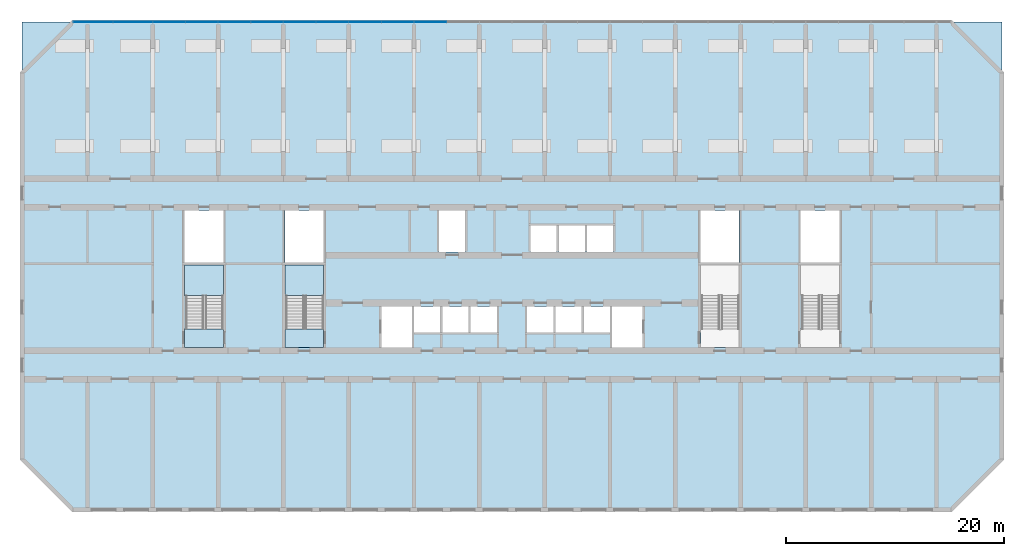
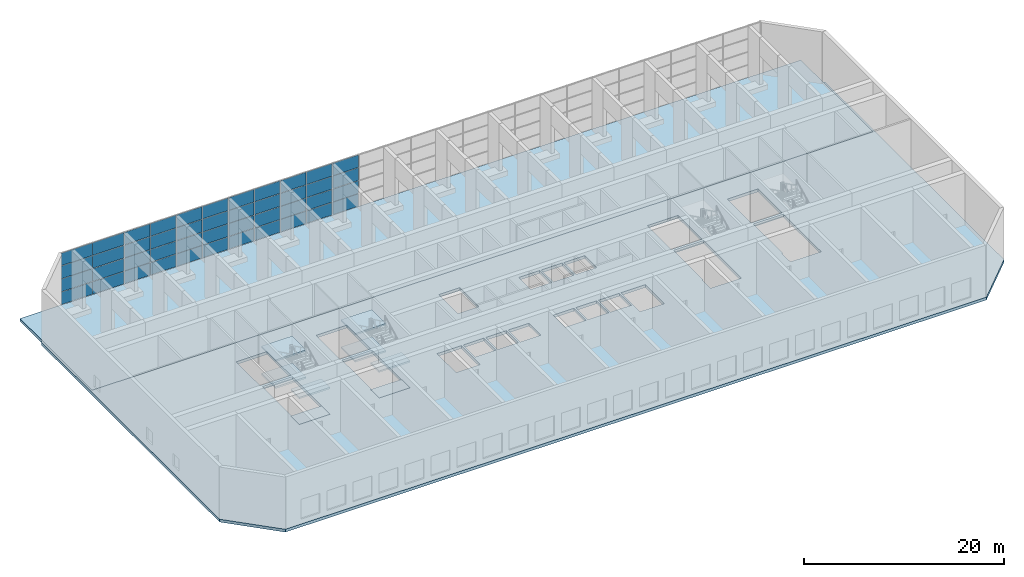
# One storey, part 4 of 15: 44 plates, 10 slabs, 6 elements without a shape of their own.
"""IFC4 building model written with IfcOpenShell, lengths in metres."""

from ifc_helpers import new_model, si_unit, direction, frame, origin, origin_2d, place, context, subcontext, project, spatial, polyline, rectangle, outline, extrude, source, transform, mapped, material, layer, layer_set, type_object, element, aggregate, save


model = new_model("IFC4")

# Units and contexts
model_context = context("Model", 3, precision=1e-05, world=origin(), true_north=direction((0.0, 1.0)))
body_context = subcontext(model_context, "Body", "Model", "MODEL_VIEW")
ifc_project = project(units=[si_unit("LENGTHUNIT", "METRE"), si_unit("AREAUNIT", "SQUARE_METRE"), si_unit("VOLUMEUNIT", "CUBIC_METRE"), si_unit("PLANEANGLEUNIT", "RADIAN"), si_unit("MASSUNIT", "GRAM", prefix="KILO")], contexts=[model_context])

# Site, building, storey
site_placement = place(None, origin())
site = spatial("IfcSite", under=ifc_project, at=site_placement, CompositionType="ELEMENT")
building_placement = place(site_placement, origin())
building = spatial("IfcBuilding", under=site, at=building_placement, Name="Poui Terraces", CompositionType="ELEMENT")
storey_placement = place(building_placement, frame((0.0, 0.0, 66.300048828125)))
storey = spatial("IfcBuildingStorey", under=building, at=storey_placement, Name="L18", CompositionType="ELEMENT", Elevation=66.300048828125)

# Curtain wall, plates
ifc_material_1 = material(Name="Clear glass", Category="glass")
ifc_layer_1 = layer(ifc_material_1, 0.159912109375)
ifc_layer_set_1 = layer_set([ifc_layer_1], Name="Clear glass")
curtain_wall_type = type_object("IfcCurtainWallType", Name="CURTAIN WALL CW-D SKY GARDEN GLAZING", PredefinedType="NOTDEFINED", material=ifc_layer_set_1)
curtain_wall_1_placement = place(storey_placement, origin())
curtain_wall_1 = element("IfcCurtainWall", 1, at=curtain_wall_1_placement, inside=storey, type_object=curtain_wall_type, Name="CW-D SKY GARDEN GLAZING", PredefinedType="NOTDEFINED")
ifc_layer_2 = layer(ifc_material_1, 0.052001953125)
ifc_layer_set_2 = layer_set([ifc_layer_2], Name="Clear glass")
plate_type = type_object("IfcPlateType", Name="CW-D GLASS PANEL 52", PredefinedType="CURTAIN_PANEL", material=ifc_layer_set_2)
plate_1_placement = place(storey_placement, frame((16.158203125, 44.800048828125, 0.0498046875), z_axis=(0.0, 0.0, 1.0), x_axis=(-1.0, 0.0, 0.0)))
plate_1 = element("IfcPlate", 2, at=plate_1_placement, type_object=plate_type, Name="CW-D panel 1.1", PredefinedType="CURTAIN_PANEL", context=body_context, shape_type="SweptSolid", body=[
    extrude(rectangle(XDim=3.58349609375, YDim=0.052001953125, at=origin_2d()), origin(), (0.0, 0.0, 1.0), 1.514892578125),
])
plate_2_placement = place(storey_placement, frame((16.158203125, 44.800048828125, 1.614990234375), z_axis=(0.0, 0.0, 1.0), x_axis=(-1.0, 0.0, 0.0)))
plate_2 = element("IfcPlate", 3, at=plate_2_placement, type_object=plate_type, Name="CW-D panel 1.2", PredefinedType="CURTAIN_PANEL", context=body_context, shape_type="SweptSolid", body=[
    extrude(rectangle(XDim=3.58349609375, YDim=0.052001953125, at=origin_2d()), origin(), (0.0, 0.0, 1.0), 1.5400390625),
])
plate_3_placement = place(storey_placement, frame((16.158203125, 44.800048828125, 3.204833984375), z_axis=(0.0, 0.0, 1.0), x_axis=(-1.0, 0.0, 0.0)))
plate_3 = element("IfcPlate", 4, at=plate_3_placement, type_object=plate_type, Name="CW-D panel 1.3", PredefinedType="CURTAIN_PANEL", context=body_context, shape_type="SweptSolid", body=[
    extrude(rectangle(XDim=3.58349609375, YDim=0.052001953125, at=origin_2d()), origin(), (0.0, 0.0, 1.0), 1.5400390625),
])
plate_4_placement = place(storey_placement, frame((16.158203125, 44.800048828125, 4.794921875), z_axis=(0.0, 0.0, 1.0), x_axis=(-1.0, 0.0, 0.0)))
plate_4 = element("IfcPlate", 5, at=plate_4_placement, type_object=plate_type, Name="CW-D panel 1.4", PredefinedType="CURTAIN_PANEL", context=body_context, shape_type="SweptSolid", body=[
    extrude(rectangle(XDim=3.58349609375, YDim=0.052001953125, at=origin_2d()), origin(), (0.0, 0.0, 1.0), 1.514892578125),
])
plate_5_placement = place(storey_placement, frame((12.524658203125, 44.800048828125, 0.0498046875), z_axis=(0.0, 0.0, 1.0), x_axis=(-1.0, 0.0, 0.0)))
plate_5 = element("IfcPlate", 6, at=plate_5_placement, type_object=plate_type, Name="CW-D panel 2.1", PredefinedType="CURTAIN_PANEL", context=body_context, shape_type="SweptSolid", body=[
    extrude(rectangle(XDim=3.58349609375, YDim=0.052001953125, at=origin_2d()), origin(), (0.0, 0.0, 1.0), 1.514892578125),
])
plate_6_placement = place(storey_placement, frame((12.524658203125, 44.800048828125, 1.614990234375), z_axis=(0.0, 0.0, 1.0), x_axis=(-1.0, 0.0, 0.0)))
plate_6 = element("IfcPlate", 7, at=plate_6_placement, type_object=plate_type, Name="CW-D panel 2.2", PredefinedType="CURTAIN_PANEL", context=body_context, shape_type="SweptSolid", body=[
    extrude(rectangle(XDim=3.58349609375, YDim=0.052001953125, at=origin_2d()), origin(), (0.0, 0.0, 1.0), 1.5400390625),
])
plate_7_placement = place(storey_placement, frame((12.524658203125, 44.800048828125, 3.204833984375), z_axis=(0.0, 0.0, 1.0), x_axis=(-1.0, 0.0, 0.0)))
plate_7 = element("IfcPlate", 8, at=plate_7_placement, type_object=plate_type, Name="CW-D panel 2.3", PredefinedType="CURTAIN_PANEL", context=body_context, shape_type="SweptSolid", body=[
    extrude(rectangle(XDim=3.58349609375, YDim=0.052001953125, at=origin_2d()), origin(), (0.0, 0.0, 1.0), 1.5400390625),
])
plate_8_placement = place(storey_placement, frame((12.524658203125, 44.800048828125, 4.794921875), z_axis=(0.0, 0.0, 1.0), x_axis=(-1.0, 0.0, 0.0)))
plate_8 = element("IfcPlate", 9, at=plate_8_placement, type_object=plate_type, Name="CW-D panel 2.4", PredefinedType="CURTAIN_PANEL", context=body_context, shape_type="SweptSolid", body=[
    extrude(rectangle(XDim=3.58349609375, YDim=0.052001953125, at=origin_2d()), origin(), (0.0, 0.0, 1.0), 1.514892578125),
])
aggregate(curtain_wall_1, [plate_1, plate_2, plate_3, plate_4, plate_5, plate_6, plate_7, plate_8])

curtain_wall_2_placement = place(storey_placement, origin())
curtain_wall_2 = element("IfcCurtainWall", 10, at=curtain_wall_2_placement, inside=storey, type_object=curtain_wall_type, Name="CW-D SKY GARDEN GLAZING", PredefinedType="NOTDEFINED")
plate_9_placement = place(storey_placement, frame((28.487548828125, 44.800048828125, 0.0498046875), z_axis=(0.0, 0.0, 1.0), x_axis=(-1.0, 0.0, 0.0)))
plate_9 = element("IfcPlate", 11, at=plate_9_placement, type_object=plate_type, Name="CW-D panel 1.1", PredefinedType="CURTAIN_PANEL", context=body_context, shape_type="SweptSolid", body=[
    extrude(rectangle(XDim=2.925048828125, YDim=0.052001953125, at=origin_2d()), origin(), (0.0, 0.0, 1.0), 1.514892578125),
])
plate_10_placement = place(storey_placement, frame((28.487548828125, 44.800048828125, 1.614990234375), z_axis=(0.0, 0.0, 1.0), x_axis=(-1.0, 0.0, 0.0)))
plate_10 = element("IfcPlate", 12, at=plate_10_placement, type_object=plate_type, Name="CW-D panel 1.2", PredefinedType="CURTAIN_PANEL", context=body_context, shape_type="SweptSolid", body=[
    extrude(rectangle(XDim=2.925048828125, YDim=0.052001953125, at=origin_2d()), origin(), (0.0, 0.0, 1.0), 1.5400390625),
])
plate_11_placement = place(storey_placement, frame((28.487548828125, 44.800048828125, 3.204833984375), z_axis=(0.0, 0.0, 1.0), x_axis=(-1.0, 0.0, 0.0)))
plate_11 = element("IfcPlate", 13, at=plate_11_placement, type_object=plate_type, Name="CW-D panel 1.3", PredefinedType="CURTAIN_PANEL", context=body_context, shape_type="SweptSolid", body=[
    extrude(rectangle(XDim=2.925048828125, YDim=0.052001953125, at=origin_2d()), origin(), (0.0, 0.0, 1.0), 1.5400390625),
])
plate_12_placement = place(storey_placement, frame((28.487548828125, 44.800048828125, 4.794921875), z_axis=(0.0, 0.0, 1.0), x_axis=(-1.0, 0.0, 0.0)))
plate_12 = element("IfcPlate", 14, at=plate_12_placement, type_object=plate_type, Name="CW-D panel 1.4", PredefinedType="CURTAIN_PANEL", context=body_context, shape_type="SweptSolid", body=[
    extrude(rectangle(XDim=2.925048828125, YDim=0.052001953125, at=origin_2d()), origin(), (0.0, 0.0, 1.0), 1.514892578125),
])
plate_13_placement = place(storey_placement, frame((25.5, 44.800048828125, 0.0498046875), z_axis=(0.0, 0.0, 1.0), x_axis=(-1.0, 0.0, 0.0)))
plate_13 = element("IfcPlate", 15, at=plate_13_placement, type_object=plate_type, Name="CW-D panel 2.1", PredefinedType="CURTAIN_PANEL", context=body_context, shape_type="SweptSolid", body=[
    extrude(rectangle(XDim=2.949951171875, YDim=0.052001953125, at=origin_2d()), origin(), (0.0, 0.0, 1.0), 1.514892578125),
])
plate_14_placement = place(storey_placement, frame((25.5, 44.800048828125, 1.614990234375), z_axis=(0.0, 0.0, 1.0), x_axis=(-1.0, 0.0, 0.0)))
plate_14 = element("IfcPlate", 16, at=plate_14_placement, type_object=plate_type, Name="CW-D panel 2.2", PredefinedType="CURTAIN_PANEL", context=body_context, shape_type="SweptSolid", body=[
    extrude(rectangle(XDim=2.949951171875, YDim=0.052001953125, at=origin_2d()), origin(), (0.0, 0.0, 1.0), 1.5400390625),
])
plate_15_placement = place(storey_placement, frame((25.5, 44.800048828125, 3.204833984375), z_axis=(0.0, 0.0, 1.0), x_axis=(-1.0, 0.0, 0.0)))
plate_15 = element("IfcPlate", 17, at=plate_15_placement, type_object=plate_type, Name="CW-D panel 2.3", PredefinedType="CURTAIN_PANEL", context=body_context, shape_type="SweptSolid", body=[
    extrude(rectangle(XDim=2.949951171875, YDim=0.052001953125, at=origin_2d()), origin(), (0.0, 0.0, 1.0), 1.5400390625),
])
plate_16_placement = place(storey_placement, frame((25.5, 44.800048828125, 4.794921875), z_axis=(0.0, 0.0, 1.0), x_axis=(-1.0, 0.0, 0.0)))
plate_16 = element("IfcPlate", 18, at=plate_16_placement, type_object=plate_type, Name="CW-D panel 2.4", PredefinedType="CURTAIN_PANEL", context=body_context, shape_type="SweptSolid", body=[
    extrude(rectangle(XDim=2.949951171875, YDim=0.052001953125, at=origin_2d()), origin(), (0.0, 0.0, 1.0), 1.514892578125),
])
plate_17_placement = place(storey_placement, frame((22.5, 44.800048828125, 0.0498046875), z_axis=(0.0, 0.0, 1.0), x_axis=(-1.0, 0.0, 0.0)))
plate_17 = element("IfcPlate", 19, at=plate_17_placement, type_object=plate_type, Name="CW-D panel 3.1", PredefinedType="CURTAIN_PANEL", context=body_context, shape_type="SweptSolid", body=[
    extrude(rectangle(XDim=2.949951171875, YDim=0.052001953125, at=origin_2d()), origin(), (0.0, 0.0, 1.0), 1.514892578125),
])
plate_18_placement = place(storey_placement, frame((22.5, 44.800048828125, 1.614990234375), z_axis=(0.0, 0.0, 1.0), x_axis=(-1.0, 0.0, 0.0)))
plate_18 = element("IfcPlate", 20, at=plate_18_placement, type_object=plate_type, Name="CW-D panel 3.2", PredefinedType="CURTAIN_PANEL", context=body_context, shape_type="SweptSolid", body=[
    extrude(rectangle(XDim=2.949951171875, YDim=0.052001953125, at=origin_2d()), origin(), (0.0, 0.0, 1.0), 1.5400390625),
])
plate_19_placement = place(storey_placement, frame((22.5, 44.800048828125, 3.204833984375), z_axis=(0.0, 0.0, 1.0), x_axis=(-1.0, 0.0, 0.0)))
plate_19 = element("IfcPlate", 21, at=plate_19_placement, type_object=plate_type, Name="CW-D panel 3.3", PredefinedType="CURTAIN_PANEL", context=body_context, shape_type="SweptSolid", body=[
    extrude(rectangle(XDim=2.949951171875, YDim=0.052001953125, at=origin_2d()), origin(), (0.0, 0.0, 1.0), 1.5400390625),
])
plate_20_placement = place(storey_placement, frame((22.5, 44.800048828125, 4.794921875), z_axis=(0.0, 0.0, 1.0), x_axis=(-1.0, 0.0, 0.0)))
plate_20 = element("IfcPlate", 22, at=plate_20_placement, type_object=plate_type, Name="CW-D panel 3.4", PredefinedType="CURTAIN_PANEL", context=body_context, shape_type="SweptSolid", body=[
    extrude(rectangle(XDim=2.949951171875, YDim=0.052001953125, at=origin_2d()), origin(), (0.0, 0.0, 1.0), 1.514892578125),
])
plate_21_placement = place(storey_placement, frame((19.512451171875, 44.800048828125, 0.0498046875), z_axis=(0.0, 0.0, 1.0), x_axis=(-1.0, 0.0, 0.0)))
plate_21 = element("IfcPlate", 23, at=plate_21_placement, type_object=plate_type, Name="CW-D panel 4.1", PredefinedType="CURTAIN_PANEL", context=body_context, shape_type="SweptSolid", body=[
    extrude(rectangle(XDim=2.925048828125, YDim=0.052001953125, at=origin_2d()), origin(), (0.0, 0.0, 1.0), 1.514892578125),
])
plate_22_placement = place(storey_placement, frame((19.512451171875, 44.800048828125, 1.614990234375), z_axis=(0.0, 0.0, 1.0), x_axis=(-1.0, 0.0, 0.0)))
plate_22 = element("IfcPlate", 24, at=plate_22_placement, type_object=plate_type, Name="CW-D panel 4.2", PredefinedType="CURTAIN_PANEL", context=body_context, shape_type="SweptSolid", body=[
    extrude(rectangle(XDim=2.925048828125, YDim=0.052001953125, at=origin_2d()), origin(), (0.0, 0.0, 1.0), 1.5400390625),
])
plate_23_placement = place(storey_placement, frame((19.512451171875, 44.800048828125, 3.204833984375), z_axis=(0.0, 0.0, 1.0), x_axis=(-1.0, 0.0, 0.0)))
plate_23 = element("IfcPlate", 25, at=plate_23_placement, type_object=plate_type, Name="CW-D panel 4.3", PredefinedType="CURTAIN_PANEL", context=body_context, shape_type="SweptSolid", body=[
    extrude(rectangle(XDim=2.925048828125, YDim=0.052001953125, at=origin_2d()), origin(), (0.0, 0.0, 1.0), 1.5400390625),
])
plate_24_placement = place(storey_placement, frame((19.512451171875, 44.800048828125, 4.794921875), z_axis=(0.0, 0.0, 1.0), x_axis=(-1.0, 0.0, 0.0)))
plate_24 = element("IfcPlate", 26, at=plate_24_placement, type_object=plate_type, Name="CW-D panel 4.4", PredefinedType="CURTAIN_PANEL", context=body_context, shape_type="SweptSolid", body=[
    extrude(rectangle(XDim=2.925048828125, YDim=0.052001953125, at=origin_2d()), origin(), (0.0, 0.0, 1.0), 1.514892578125),
])
aggregate(curtain_wall_2, [plate_9, plate_10, plate_11, plate_12, plate_13, plate_14, plate_15, plate_16, plate_17, plate_18, plate_19, plate_20, plate_21, plate_22, plate_23, plate_24])

curtain_wall_3_placement = place(storey_placement, origin())
curtain_wall_3 = element("IfcCurtainWall", 27, at=curtain_wall_3_placement, inside=storey, type_object=curtain_wall_type, Name="CW-D SKY GARDEN GLAZING", PredefinedType="NOTDEFINED")
plate_25_placement = place(storey_placement, frame((40.487548828125, 44.800048828125, 0.0498046875), z_axis=(0.0, 0.0, 1.0), x_axis=(-1.0, 0.0, 0.0)))
plate_25 = element("IfcPlate", 28, at=plate_25_placement, type_object=plate_type, Name="CW-D panel 1.1", PredefinedType="CURTAIN_PANEL", context=body_context, shape_type="SweptSolid", body=[
    extrude(rectangle(XDim=2.925048828125, YDim=0.052001953125, at=origin_2d()), origin(), (0.0, 0.0, 1.0), 1.514892578125),
])
plate_26_placement = place(storey_placement, frame((40.487548828125, 44.800048828125, 1.614990234375), z_axis=(0.0, 0.0, 1.0), x_axis=(-1.0, 0.0, 0.0)))
plate_26 = element("IfcPlate", 29, at=plate_26_placement, type_object=plate_type, Name="CW-D panel 1.2", PredefinedType="CURTAIN_PANEL", context=body_context, shape_type="SweptSolid", body=[
    extrude(rectangle(XDim=2.925048828125, YDim=0.052001953125, at=origin_2d()), origin(), (0.0, 0.0, 1.0), 1.5400390625),
])
plate_27_placement = place(storey_placement, frame((40.487548828125, 44.800048828125, 3.204833984375), z_axis=(0.0, 0.0, 1.0), x_axis=(-1.0, 0.0, 0.0)))
plate_27 = element("IfcPlate", 30, at=plate_27_placement, type_object=plate_type, Name="CW-D panel 1.3", PredefinedType="CURTAIN_PANEL", context=body_context, shape_type="SweptSolid", body=[
    extrude(rectangle(XDim=2.925048828125, YDim=0.052001953125, at=origin_2d()), origin(), (0.0, 0.0, 1.0), 1.5400390625),
])
plate_28_placement = place(storey_placement, frame((40.487548828125, 44.800048828125, 4.794921875), z_axis=(0.0, 0.0, 1.0), x_axis=(-1.0, 0.0, 0.0)))
plate_28 = element("IfcPlate", 31, at=plate_28_placement, type_object=plate_type, Name="CW-D panel 1.4", PredefinedType="CURTAIN_PANEL", context=body_context, shape_type="SweptSolid", body=[
    extrude(rectangle(XDim=2.925048828125, YDim=0.052001953125, at=origin_2d()), origin(), (0.0, 0.0, 1.0), 1.514892578125),
])
plate_29_placement = place(storey_placement, frame((37.5, 44.800048828125, 0.0498046875), z_axis=(0.0, 0.0, 1.0), x_axis=(-1.0, 0.0, 0.0)))
plate_29 = element("IfcPlate", 32, at=plate_29_placement, type_object=plate_type, Name="CW-D panel 2.1", PredefinedType="CURTAIN_PANEL", context=body_context, shape_type="SweptSolid", body=[
    extrude(rectangle(XDim=2.949951171875, YDim=0.052001953125, at=origin_2d()), origin(), (0.0, 0.0, 1.0), 1.514892578125),
])
plate_30_placement = place(storey_placement, frame((37.5, 44.800048828125, 1.614990234375), z_axis=(0.0, 0.0, 1.0), x_axis=(-1.0, 0.0, 0.0)))
plate_30 = element("IfcPlate", 33, at=plate_30_placement, type_object=plate_type, Name="CW-D panel 2.2", PredefinedType="CURTAIN_PANEL", context=body_context, shape_type="SweptSolid", body=[
    extrude(rectangle(XDim=2.949951171875, YDim=0.052001953125, at=origin_2d()), origin(), (0.0, 0.0, 1.0), 1.5400390625),
])
plate_31_placement = place(storey_placement, frame((37.5, 44.800048828125, 3.204833984375), z_axis=(0.0, 0.0, 1.0), x_axis=(-1.0, 0.0, 0.0)))
plate_31 = element("IfcPlate", 34, at=plate_31_placement, type_object=plate_type, Name="CW-D panel 2.3", PredefinedType="CURTAIN_PANEL", context=body_context, shape_type="SweptSolid", body=[
    extrude(rectangle(XDim=2.949951171875, YDim=0.052001953125, at=origin_2d()), origin(), (0.0, 0.0, 1.0), 1.5400390625),
])
plate_32_placement = place(storey_placement, frame((37.5, 44.800048828125, 4.794921875), z_axis=(0.0, 0.0, 1.0), x_axis=(-1.0, 0.0, 0.0)))
plate_32 = element("IfcPlate", 35, at=plate_32_placement, type_object=plate_type, Name="CW-D panel 2.4", PredefinedType="CURTAIN_PANEL", context=body_context, shape_type="SweptSolid", body=[
    extrude(rectangle(XDim=2.949951171875, YDim=0.052001953125, at=origin_2d()), origin(), (0.0, 0.0, 1.0), 1.514892578125),
])
plate_33_placement = place(storey_placement, frame((34.5, 44.800048828125, 0.0498046875), z_axis=(0.0, 0.0, 1.0), x_axis=(-1.0, 0.0, 0.0)))
plate_33 = element("IfcPlate", 36, at=plate_33_placement, type_object=plate_type, Name="CW-D panel 3.1", PredefinedType="CURTAIN_PANEL", context=body_context, shape_type="SweptSolid", body=[
    extrude(rectangle(XDim=2.949951171875, YDim=0.052001953125, at=origin_2d()), origin(), (0.0, 0.0, 1.0), 1.514892578125),
])
plate_34_placement = place(storey_placement, frame((34.5, 44.800048828125, 1.614990234375), z_axis=(0.0, 0.0, 1.0), x_axis=(-1.0, 0.0, 0.0)))
plate_34 = element("IfcPlate", 37, at=plate_34_placement, type_object=plate_type, Name="CW-D panel 3.2", PredefinedType="CURTAIN_PANEL", context=body_context, shape_type="SweptSolid", body=[
    extrude(rectangle(XDim=2.949951171875, YDim=0.052001953125, at=origin_2d()), origin(), (0.0, 0.0, 1.0), 1.5400390625),
])
plate_35_placement = place(storey_placement, frame((34.5, 44.800048828125, 3.204833984375), z_axis=(0.0, 0.0, 1.0), x_axis=(-1.0, 0.0, 0.0)))
plate_35 = element("IfcPlate", 38, at=plate_35_placement, type_object=plate_type, Name="CW-D panel 3.3", PredefinedType="CURTAIN_PANEL", context=body_context, shape_type="SweptSolid", body=[
    extrude(rectangle(XDim=2.949951171875, YDim=0.052001953125, at=origin_2d()), origin(), (0.0, 0.0, 1.0), 1.5400390625),
])
plate_36_placement = place(storey_placement, frame((34.5, 44.800048828125, 4.794921875), z_axis=(0.0, 0.0, 1.0), x_axis=(-1.0, 0.0, 0.0)))
plate_36 = element("IfcPlate", 39, at=plate_36_placement, type_object=plate_type, Name="CW-D panel 3.4", PredefinedType="CURTAIN_PANEL", context=body_context, shape_type="SweptSolid", body=[
    extrude(rectangle(XDim=2.949951171875, YDim=0.052001953125, at=origin_2d()), origin(), (0.0, 0.0, 1.0), 1.514892578125),
])
plate_37_placement = place(storey_placement, frame((31.512451171875, 44.800048828125, 0.0498046875), z_axis=(0.0, 0.0, 1.0), x_axis=(-1.0, 0.0, 0.0)))
plate_37 = element("IfcPlate", 40, at=plate_37_placement, type_object=plate_type, Name="CW-D panel 4.1", PredefinedType="CURTAIN_PANEL", context=body_context, shape_type="SweptSolid", body=[
    extrude(rectangle(XDim=2.925048828125, YDim=0.052001953125, at=origin_2d()), origin(), (0.0, 0.0, 1.0), 1.514892578125),
])
plate_38_placement = place(storey_placement, frame((31.512451171875, 44.800048828125, 1.614990234375), z_axis=(0.0, 0.0, 1.0), x_axis=(-1.0, 0.0, 0.0)))
plate_38 = element("IfcPlate", 41, at=plate_38_placement, type_object=plate_type, Name="CW-D panel 4.2", PredefinedType="CURTAIN_PANEL", context=body_context, shape_type="SweptSolid", body=[
    extrude(rectangle(XDim=2.925048828125, YDim=0.052001953125, at=origin_2d()), origin(), (0.0, 0.0, 1.0), 1.5400390625),
])
plate_39_placement = place(storey_placement, frame((31.512451171875, 44.800048828125, 3.204833984375), z_axis=(0.0, 0.0, 1.0), x_axis=(-1.0, 0.0, 0.0)))
plate_39 = element("IfcPlate", 42, at=plate_39_placement, type_object=plate_type, Name="CW-D panel 4.3", PredefinedType="CURTAIN_PANEL", context=body_context, shape_type="SweptSolid", body=[
    extrude(rectangle(XDim=2.925048828125, YDim=0.052001953125, at=origin_2d()), origin(), (0.0, 0.0, 1.0), 1.5400390625),
])
plate_40_placement = place(storey_placement, frame((31.512451171875, 44.800048828125, 4.794921875), z_axis=(0.0, 0.0, 1.0), x_axis=(-1.0, 0.0, 0.0)))
plate_40 = element("IfcPlate", 43, at=plate_40_placement, type_object=plate_type, Name="CW-D panel 4.4", PredefinedType="CURTAIN_PANEL", context=body_context, shape_type="SweptSolid", body=[
    extrude(rectangle(XDim=2.925048828125, YDim=0.052001953125, at=origin_2d()), origin(), (0.0, 0.0, 1.0), 1.514892578125),
])
aggregate(curtain_wall_3, [plate_25, plate_26, plate_27, plate_28, plate_29, plate_30, plate_31, plate_32, plate_33, plate_34, plate_35, plate_36, plate_37, plate_38, plate_39, plate_40])

curtain_wall_4_placement = place(storey_placement, origin())
curtain_wall_4 = element("IfcCurtainWall", 44, at=curtain_wall_4_placement, inside=storey, type_object=curtain_wall_type, Name="CW-D SKY GARDEN GLAZING", PredefinedType="NOTDEFINED")
plate_41_placement = place(storey_placement, frame((43.512451171875, 44.800048828125, 0.0498046875), z_axis=(0.0, 0.0, 1.0), x_axis=(-1.0, 0.0, 0.0)))
plate_41 = element("IfcPlate", 45, at=plate_41_placement, type_object=plate_type, Name="CW-D panel 4.1", PredefinedType="CURTAIN_PANEL", context=body_context, shape_type="SweptSolid", body=[
    extrude(rectangle(XDim=2.925048828125, YDim=0.052001953125, at=origin_2d()), origin(), (0.0, 0.0, 1.0), 1.514892578125),
])
plate_42_placement = place(storey_placement, frame((43.512451171875, 44.800048828125, 1.614990234375), z_axis=(0.0, 0.0, 1.0), x_axis=(-1.0, 0.0, 0.0)))
plate_42 = element("IfcPlate", 46, at=plate_42_placement, type_object=plate_type, Name="CW-D panel 4.2", PredefinedType="CURTAIN_PANEL", context=body_context, shape_type="SweptSolid", body=[
    extrude(rectangle(XDim=2.925048828125, YDim=0.052001953125, at=origin_2d()), origin(), (0.0, 0.0, 1.0), 1.5400390625),
])
plate_43_placement = place(storey_placement, frame((43.512451171875, 44.800048828125, 3.204833984375), z_axis=(0.0, 0.0, 1.0), x_axis=(-1.0, 0.0, 0.0)))
plate_43 = element("IfcPlate", 47, at=plate_43_placement, type_object=plate_type, Name="CW-D panel 4.3", PredefinedType="CURTAIN_PANEL", context=body_context, shape_type="SweptSolid", body=[
    extrude(rectangle(XDim=2.925048828125, YDim=0.052001953125, at=origin_2d()), origin(), (0.0, 0.0, 1.0), 1.5400390625),
])
plate_44_placement = place(storey_placement, frame((43.512451171875, 44.800048828125, 4.794921875), z_axis=(0.0, 0.0, 1.0), x_axis=(-1.0, 0.0, 0.0)))
plate_44 = element("IfcPlate", 48, at=plate_44_placement, type_object=plate_type, Name="CW-D panel 4.4", PredefinedType="CURTAIN_PANEL", context=body_context, shape_type="SweptSolid", body=[
    extrude(rectangle(XDim=2.925048828125, YDim=0.052001953125, at=origin_2d()), origin(), (0.0, 0.0, 1.0), 1.514892578125),
])
aggregate(curtain_wall_4, [plate_41, plate_42, plate_43, plate_44])

# Stair, slabs
ifc_material_2 = material(Name="Concrete 80 MPa", Category="concrete")
stair_type = type_object("IfcStairType", Name="EXIT STAIR 1650 80 MPA", PredefinedType="HALF_TURN_STAIR", material=ifc_material_2)
stair_1_placement = place(storey_placement, origin())
stair_1 = element("IfcStair", 49, at=stair_1_placement, inside=storey, type_object=stair_type, Name="L18 CORE STAIR WEST", PredefinedType="HALF_TURN_STAIR")
ifc_layer_3 = layer(ifc_material_2, 0.199951171875)
ifc_layer_set_3 = layer_set([ifc_layer_3], Name="Concrete 80 MPa")
slab_type_1 = type_object("IfcSlabType", Name="STAIR LANDING 200 80 MPA", PredefinedType="LANDING", material=ifc_layer_set_3)
slab_1_placement = place(storey_placement, frame((0.0, 0.0, 1.449951171875)))
slab_1 = element("IfcSlab", 50, at=slab_1_placement, type_object=slab_type_1, Name="ST-CW landing 1", PredefinedType="LANDING", context=body_context, shape_type="SweptSolid", body=[
    extrude(outline(polyline([(30.125, 19.679931640625), (33.675048828125, 19.679931640625), (33.675048828125, 22.47509765625), (30.125, 22.47509765625), (30.125, 19.679931640625)])), origin(), (0.0, 0.0, 1.0), 0.199951171875),
])
slab_2_placement = place(storey_placement, frame((0.0, 0.0, 3.099853515625)))
slab_2 = element("IfcSlab", 51, at=slab_2_placement, type_object=slab_type_1, Name="ST-CW landing 2", PredefinedType="LANDING", context=body_context, shape_type="SweptSolid", body=[
    extrude(outline(polyline([(30.125, 14.89990234375), (33.675048828125, 14.89990234375), (33.675048828125, 16.60009765625), (30.125, 16.60009765625), (30.125, 14.89990234375)])), origin(), (0.0, 0.0, 1.0), 0.2001953125),
])
slab_3_placement = place(storey_placement, frame((0.0, 0.0, 4.749755859375)))
slab_3 = element("IfcSlab", 52, at=slab_3_placement, type_object=slab_type_1, Name="ST-CW landing 3", PredefinedType="LANDING", context=body_context, shape_type="SweptSolid", body=[
    extrude(outline(polyline([(30.125, 19.679931640625), (33.675048828125, 19.679931640625), (33.675048828125, 22.47509765625), (30.125, 22.47509765625), (30.125, 19.679931640625)])), origin(), (0.0, 0.0, 1.0), 0.2001953125),
])
slab_4_placement = place(storey_placement, frame((0.0, 0.0, -0.2001953125)))
slab_4 = element("IfcSlab", 53, at=slab_4_placement, type_object=slab_type_1, Name="ST-CW landing 4", PredefinedType="LANDING", context=body_context, shape_type="SweptSolid", body=[
    extrude(outline(polyline([(30.125, 14.89990234375), (33.675048828125, 14.89990234375), (33.675048828125, 16.60009765625), (30.125, 16.60009765625), (30.125, 14.89990234375)])), origin(), (0.0, 0.0, 1.0), 0.2001953125),
])
aggregate(stair_1, [slab_1, slab_2, slab_3, slab_4])

stair_2_placement = place(storey_placement, origin())
stair_2 = element("IfcStair", 54, at=stair_2_placement, inside=storey, type_object=stair_type, Name="L18 TIP STAIR WEST", PredefinedType="HALF_TURN_STAIR")
slab_5_placement = place(storey_placement, frame((0.0, 0.0, 1.449951171875)))
slab_5 = element("IfcSlab", 55, at=slab_5_placement, type_object=slab_type_1, Name="ST-W landing 1", PredefinedType="LANDING", context=body_context, shape_type="SweptSolid", body=[
    extrude(outline(polyline([(20.925048828125, 19.679931640625), (24.47509765625, 19.679931640625), (24.47509765625, 22.47509765625), (20.925048828125, 22.47509765625), (20.925048828125, 19.679931640625)])), origin(), (0.0, 0.0, 1.0), 0.199951171875),
])
slab_6_placement = place(storey_placement, frame((0.0, 0.0, 3.099853515625)))
slab_6 = element("IfcSlab", 56, at=slab_6_placement, type_object=slab_type_1, Name="ST-W landing 2", PredefinedType="LANDING", context=body_context, shape_type="SweptSolid", body=[
    extrude(outline(polyline([(20.925048828125, 14.89990234375), (24.47509765625, 14.89990234375), (24.47509765625, 16.60009765625), (20.925048828125, 16.60009765625), (20.925048828125, 14.89990234375)])), origin(), (0.0, 0.0, 1.0), 0.2001953125),
])
slab_7_placement = place(storey_placement, frame((0.0, 0.0, 4.749755859375)))
slab_7 = element("IfcSlab", 57, at=slab_7_placement, type_object=slab_type_1, Name="ST-W landing 3", PredefinedType="LANDING", context=body_context, shape_type="SweptSolid", body=[
    extrude(outline(polyline([(20.925048828125, 19.679931640625), (24.47509765625, 19.679931640625), (24.47509765625, 22.47509765625), (20.925048828125, 22.47509765625), (20.925048828125, 19.679931640625)])), origin(), (0.0, 0.0, 1.0), 0.2001953125),
])
slab_8_placement = place(storey_placement, frame((0.0, 0.0, -0.2001953125)))
slab_8 = element("IfcSlab", 58, at=slab_8_placement, type_object=slab_type_1, Name="ST-W landing 4", PredefinedType="LANDING", context=body_context, shape_type="SweptSolid", body=[
    extrude(outline(polyline([(20.925048828125, 14.89990234375), (24.47509765625, 14.89990234375), (24.47509765625, 16.60009765625), (20.925048828125, 16.60009765625), (20.925048828125, 14.89990234375)])), origin(), (0.0, 0.0, 1.0), 0.2001953125),
])
aggregate(stair_2, [slab_5, slab_6, slab_7, slab_8])

# Slabs
ifc_material_3 = material(Name="Concrete 40 MPa", Category="concrete")
ifc_layer_4 = layer(ifc_material_3, 0.35009765625)
ifc_layer_set_4 = layer_set([ifc_layer_4], Name="Concrete 40 MPa")
slab_type_2 = type_object("IfcSlabType", Name="FLOOR SLAB 350", PredefinedType="FLOOR", material=ifc_layer_set_4)
shared_shape_1 = source(origin(), body_context, "Body", "SweptSolid", [
    extrude(outline(polyline([(0.0, 0.0), (0.0, 35.599853515625), (-0.199951171875, 35.7998046875), (-0.199951171875, 25.7998046875), (-90.199951171875, 25.7998046875), (-90.199951171875, 35.7998046875), (-90.39990234375, 35.599853515625), (-90.39990234375, 0.0), (-85.599853515625, -4.800048828125), (-4.800048828125, -4.800048828125), (0.0, 0.0)]), holes=[polyline([(-57.199951171875, 10.2998046875), (-57.199951171875, 14.099853515625), (-54.39990234375, 14.099853515625), (-54.39990234375, 10.2998046875), (-57.199951171875, 10.2998046875)]), polyline([(-54.199951171875, 11.699951171875), (-54.199951171875, 14.099853515625), (-51.800048828125, 14.099853515625), (-51.800048828125, 11.699951171875), (-54.199951171875, 11.699951171875)]), polyline([(-51.599853515625, 11.699951171875), (-51.599853515625, 14.099853515625), (-49.199951171875, 14.099853515625), (-49.199951171875, 11.699951171875), (-51.599853515625, 11.699951171875)]), polyline([(-49.0, 14.099853515625), (-46.599853515625, 14.099853515625), (-46.599853515625, 11.699951171875), (-49.0, 11.699951171875), (-49.0, 14.099853515625)]), polyline([(-43.800048828125, 14.099853515625), (-41.39990234375, 14.099853515625), (-41.39990234375, 11.699951171875), (-43.800048828125, 11.699951171875), (-43.800048828125, 14.099853515625)]), polyline([(-75.175048828125, 17.849853515625), (-71.724853515625, 17.849853515625), (-71.724853515625, 12.0), (-71.724853515625, 10.2998046875), (-75.27490234375, 10.2998046875), (-75.27490234375, 12.0), (-75.175048828125, 12.0), (-75.175048828125, 17.849853515625)]), polyline([(-65.974853515625, 17.849853515625), (-62.52490234375, 17.849853515625), (-62.52490234375, 12.0), (-62.52490234375, 10.2998046875), (-66.074951171875, 10.2998046875), (-66.074951171875, 12.0), (-65.974853515625, 12.0), (-65.974853515625, 17.849853515625)]), polyline([(-75.27490234375, 18.125), (-75.27490234375, 22.89990234375), (-71.724853515625, 22.89990234375), (-71.724853515625, 18.125), (-75.27490234375, 18.125)]), polyline([(-66.074951171875, 22.89990234375), (-62.52490234375, 22.89990234375), (-62.52490234375, 18.125), (-66.074951171875, 18.125), (-66.074951171875, 22.89990234375)]), polyline([(-51.89990234375, 22.89990234375), (-49.5, 22.89990234375), (-49.5, 19.099853515625), (-51.89990234375, 19.099853515625), (-51.89990234375, 22.89990234375)]), polyline([(-36.0, 10.2998046875), (-36.0, 14.099853515625), (-33.199951171875, 14.099853515625), (-33.199951171875, 10.2998046875), (-36.0, 10.2998046875)]), polyline([(-41.199951171875, 11.699951171875), (-41.199951171875, 14.099853515625), (-38.800048828125, 14.099853515625), (-38.800048828125, 11.699951171875), (-41.199951171875, 11.699951171875)]), polyline([(-38.599853515625, 11.699951171875), (-38.599853515625, 14.099853515625), (-36.199951171875, 14.099853515625), (-36.199951171875, 11.699951171875), (-38.599853515625, 11.699951171875)]), polyline([(-24.324951171875, 17.849853515625), (-24.324951171875, 12.0), (-24.324951171875, 10.2998046875), (-27.875, 10.2998046875), (-27.875, 12.0), (-27.77490234375, 12.0), (-27.77490234375, 17.849853515625), (-24.324951171875, 17.849853515625)]), polyline([(-15.125, 17.849853515625), (-15.125, 12.0), (-15.125, 10.2998046875), (-18.675048828125, 10.2998046875), (-18.675048828125, 12.0), (-18.574951171875, 12.0), (-18.574951171875, 17.849853515625), (-15.125, 17.849853515625)]), polyline([(-43.5, 19.099853515625), (-43.5, 21.5), (-41.099853515625, 21.5), (-41.099853515625, 19.099853515625), (-43.5, 19.099853515625)]), polyline([(-40.89990234375, 19.099853515625), (-40.89990234375, 21.5), (-38.5, 21.5), (-38.5, 19.099853515625), (-40.89990234375, 19.099853515625)]), polyline([(-38.300048828125, 19.099853515625), (-38.300048828125, 21.5), (-35.89990234375, 21.5), (-35.89990234375, 19.099853515625), (-38.300048828125, 19.099853515625)]), polyline([(-27.875, 22.89990234375), (-24.324951171875, 22.89990234375), (-24.324951171875, 18.125), (-27.875, 18.125), (-27.875, 22.89990234375)]), polyline([(-18.675048828125, 22.89990234375), (-15.125, 22.89990234375), (-15.125, 18.125), (-18.675048828125, 18.125), (-18.675048828125, 22.89990234375)])]), origin(), (0.0, 0.0, 1.0), 0.35009765625),
])
slab_9_placement = place(storey_placement, frame((96.199951171875, 4.60009765625, -0.35009765625)))
element("IfcSlab", 59, at=slab_9_placement, inside=storey, type_object=slab_type_2, Name="FLOOR SLAB", PredefinedType="FLOOR", context=body_context, shape_type="MappedRepresentation", body=[
    mapped(shared_shape_1, transform((0.0, 0.0, 0.0))),
])
ifc_layer_5 = layer(ifc_material_3, 0.35009765625)
ifc_layer_set_5 = layer_set([ifc_layer_5], Name="Concrete 40 MPa")
slab_type_3 = type_object("IfcSlabType", Name="GARDEN DECK 350", PredefinedType="FLOOR", material=ifc_layer_set_5)
shared_shape_2 = source(origin(), body_context, "Body", "SweptSolid", [
    extrude(outline(polyline([(0.0, 0.0), (0.0, 14.400146484375), (-90.0, 14.400146484375), (-90.0, 0.0), (0.0, 0.0)])), origin(), (0.0, 0.0, 1.0), 0.35009765625),
])
slab_10_placement = place(storey_placement, frame((96.0, 30.39990234375, -0.35009765625)))
element("IfcSlab", 60, at=slab_10_placement, inside=storey, type_object=slab_type_3, Name="SKY GARDEN DECK", PredefinedType="FLOOR", context=body_context, shape_type="MappedRepresentation", body=[
    mapped(shared_shape_2, transform((0.0, 0.0, 0.0))),
])

save(model, "model.ifc")
